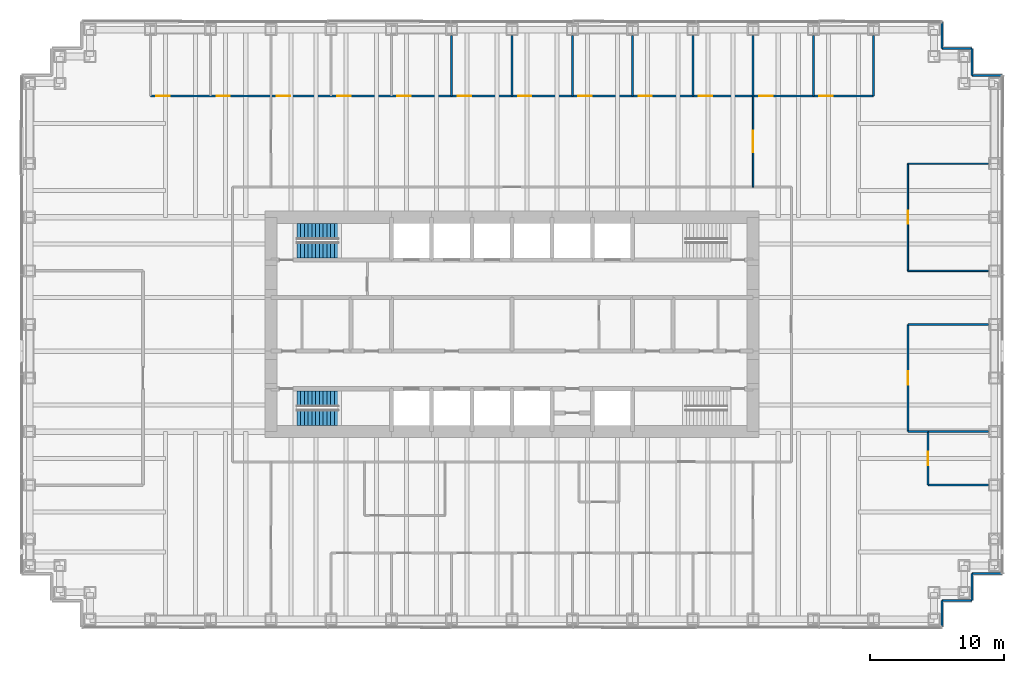
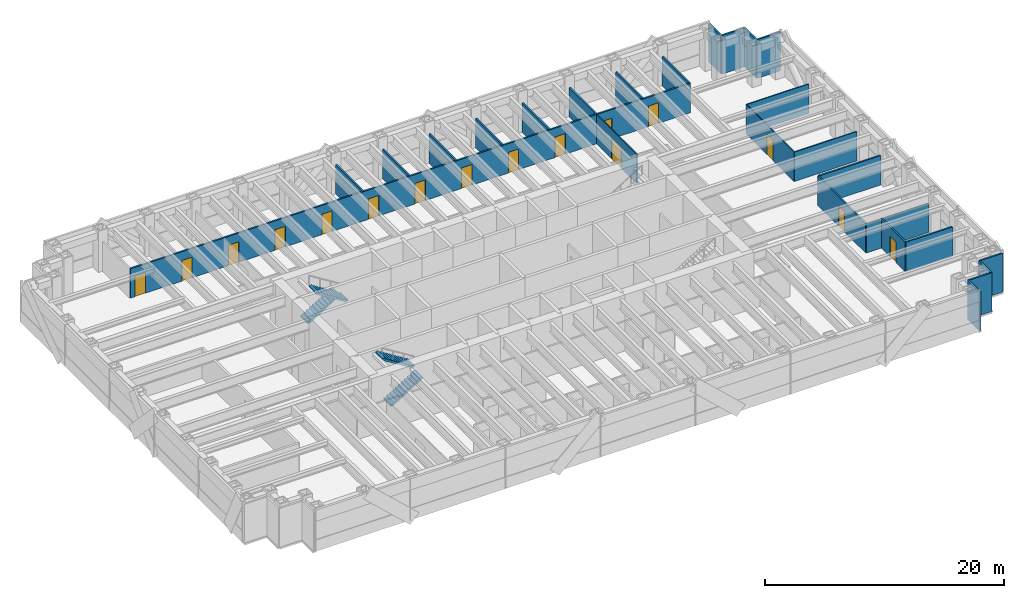
# One storey, part 14 of 16: 27 walls, 16 doors, 4 stair flights, 16 openings, 2 elements without a shape of their own.
"""IFC4 building model written with IfcOpenShell, lengths in metres."""

from ifc_helpers import new_model, si_unit, direction, frame, frame_2d, origin, place, context, subcontext, project, spatial, polyline, rectangle, outline, extrude, material, layer, layer_set, type_object, element, fill, aggregate, save


model = new_model("IFC4")

# Units and contexts
model_context = context("Model", 3, precision=1e-05, world=origin(), true_north=direction((0.0, 1.0)))
body_context = subcontext(model_context, "Body", "Model", "MODEL_VIEW")
ifc_project = project(units=[si_unit("LENGTHUNIT", "METRE"), si_unit("AREAUNIT", "SQUARE_METRE"), si_unit("VOLUMEUNIT", "CUBIC_METRE"), si_unit("PLANEANGLEUNIT", "RADIAN"), si_unit("MASSUNIT", "GRAM", prefix="KILO")], contexts=[model_context])

# Site, building, storey
site_placement = place(None, origin())
site = spatial("IfcSite", under=ifc_project, at=site_placement, CompositionType="ELEMENT")
building_placement = place(site_placement, origin())
building = spatial("IfcBuilding", under=site, at=building_placement, Name="Rheinbord Bourse Tower", CompositionType="ELEMENT")
storey_placement = place(building_placement, frame((0.0, 0.0, 176.10009765625)))
storey = spatial("IfcBuildingStorey", under=building, at=storey_placement, Name="L39", CompositionType="ELEMENT", Elevation=176.10009765625)

# Walls
ifc_material_1 = material(Name="Black metal rainscreen panel", Category="aluminium")
ifc_layer_1 = layer(ifc_material_1, 0.14990234375)
ifc_layer_set_1 = layer_set([ifc_layer_1], Name="CORNER PIER CLADDING 150")
wall_type_1 = type_object("IfcWallType", Name="CORNER PIER CLADDING 150", PredefinedType="ELEMENTEDWALL", material=ifc_layer_set_1)
wall_1_placement = place(storey_placement, frame((68.10009765625, 1.39990234375, 0.0), z_axis=(0.0, 0.0, 1.0), x_axis=(0.0, 1.0, 0.0)))
element("IfcWall", 1, at=wall_1_placement, inside=storey, type_object=wall_type_1, Name="Corner pier cladding L39 2", PredefinedType="ELEMENTEDWALL", context=body_context, shape_type="SweptSolid", body=[
    extrude(rectangle(XDim=2.0, YDim=0.14990234375, at=frame_2d((1.0, 0.0))), origin(), (0.0, 0.0, 1.0), 3.949951171875),
])
wall_2_placement = place(storey_placement, frame((68.10009765625, 3.39990234375, 0.0), z_axis=(0.0, 0.0, 1.0), x_axis=(1.0, 0.0, 0.0)))
element("IfcWall", 2, at=wall_2_placement, inside=storey, type_object=wall_type_1, Name="Corner pier cladding L39 3", PredefinedType="ELEMENTEDWALL", context=body_context, shape_type="SweptSolid", body=[
    extrude(rectangle(XDim=2.25, YDim=0.14990234375, at=frame_2d((1.125, 0.0))), origin(), (0.0, 0.0, 1.0), 3.949951171875),
])
wall_3_placement = place(storey_placement, frame((70.35009765625, 3.39990234375, 0.0), z_axis=(0.0, 0.0, 1.0), x_axis=(0.0, 1.0, 0.0)))
element("IfcWall", 3, at=wall_3_placement, inside=storey, type_object=wall_type_1, Name="Corner pier cladding L39 4", PredefinedType="ELEMENTEDWALL", context=body_context, shape_type="SweptSolid", body=[
    extrude(rectangle(XDim=2.0, YDim=0.14990234375, at=frame_2d((1.0, 0.0))), origin(), (0.0, 0.0, 1.0), 3.949951171875),
])
for number, where, z_axis, x_axis, name in (
    (4, (70.35009765625, 5.39990234375, 0.0), (0.0, 0.0, 1.0), (1.0, 0.0, 0.0), "Corner pier cladding L39 5"),
    (5, (72.60009765625, 42.60009765625, 0.0), (0.0, 0.0, 1.0), (-1.0, 0.0, 0.0), "Corner pier cladding L39 7"),
):
    element("IfcWall", number, at=place(storey_placement, frame(where, z_axis=z_axis, x_axis=x_axis)), inside=storey, type_object=wall_type_1, Name=name, PredefinedType="ELEMENTEDWALL", context=body_context, shape_type="SweptSolid", body=[
        extrude(rectangle(XDim=2.25, YDim=0.14990234375, at=frame_2d((1.125, 0.0))), origin(), (0.0, 0.0, 1.0), 3.949951171875),
    ])
wall_4_placement = place(storey_placement, frame((70.35009765625, 42.60009765625, 0.0), z_axis=(0.0, 0.0, 1.0), x_axis=(0.0, 1.0, 0.0)))
element("IfcWall", 6, at=wall_4_placement, inside=storey, type_object=wall_type_1, Name="Corner pier cladding L39 8", PredefinedType="ELEMENTEDWALL", context=body_context, shape_type="SweptSolid", body=[
    extrude(rectangle(XDim=2.0, YDim=0.14990234375, at=frame_2d((1.0, 0.0))), origin(), (0.0, 0.0, 1.0), 3.949951171875),
])
wall_5_placement = place(storey_placement, frame((70.35009765625, 44.60009765625, 0.0), z_axis=(0.0, 0.0, 1.0), x_axis=(-1.0, 0.0, 0.0)))
element("IfcWall", 7, at=wall_5_placement, inside=storey, type_object=wall_type_1, Name="Corner pier cladding L39 9", PredefinedType="ELEMENTEDWALL", context=body_context, shape_type="SweptSolid", body=[
    extrude(rectangle(XDim=2.25, YDim=0.14990234375, at=frame_2d((1.125, 0.0))), origin(), (0.0, 0.0, 1.0), 3.949951171875),
])
wall_6_placement = place(storey_placement, frame((68.10009765625, 44.60009765625, 0.0), z_axis=(0.0, 0.0, 1.0), x_axis=(0.0, 1.0, 0.0)))
element("IfcWall", 8, at=wall_6_placement, inside=storey, type_object=wall_type_1, Name="Corner pier cladding L39 10", PredefinedType="ELEMENTEDWALL", context=body_context, shape_type="SweptSolid", body=[
    extrude(rectangle(XDim=2.0, YDim=0.14990234375, at=frame_2d((1.0, 0.0))), origin(), (0.0, 0.0, 1.0), 3.949951171875),
])
ifc_material_2 = material(Name="Gypsum board fire partition", Category="gypsum board")
ifc_layer_2 = layer(ifc_material_2, 0.14990234375)
ifc_layer_set_2 = layer_set([ifc_layer_2], Name="FIRE PARTITION 150 EI60")
wall_type_2 = type_object("IfcWallType", Name="FIRE PARTITION 150 EI60", PredefinedType="PARTITIONING", material=ifc_layer_set_2)
wall_7_placement = place(storey_placement, frame((67.050048828125, 12.0, 0.0), z_axis=(0.0, 0.0, 1.0), x_axis=(1.0, 0.0, 0.0)))
element("IfcWall", 9, at=wall_7_placement, inside=storey, type_object=wall_type_2, Name="Partition L39-05", PredefinedType="PARTITIONING", context=body_context, shape_type="SweptSolid", body=[
    extrude(rectangle(XDim=4.5, YDim=0.14990234375, at=frame_2d((2.25, 0.0))), origin(), (0.0, 0.0, 1.0), 3.0),
])
wall_8_placement = place(storey_placement, frame((67.050048828125, 16.0, 0.0), z_axis=(0.0, 0.0, 1.0), x_axis=(1.0, 0.0, 0.0)))
element("IfcWall", 10, at=wall_8_placement, inside=storey, type_object=wall_type_2, Name="Partition L39-08", PredefinedType="PARTITIONING", context=body_context, shape_type="SweptSolid", body=[
    extrude(rectangle(XDim=4.5, YDim=0.14990234375, at=frame_2d((2.25, 0.0))), origin(), (0.0, 0.0, 1.0), 2.929931640625),
])

# Wall, opening, door
wall_9_placement = place(storey_placement, frame((67.050048828125, 12.0, 0.0), z_axis=(0.0, 0.0, 1.0), x_axis=(0.0, 1.0, 0.0)))
wall_9 = element("IfcWall", 11, at=wall_9_placement, inside=storey, type_object=wall_type_2, Name="Partition L39-49", PredefinedType="PARTITIONING", context=body_context, shape_type="SweptSolid", body=[
    extrude(rectangle(XDim=4.0, YDim=0.14990234375, at=frame_2d((2.0, 0.0))), origin(), (0.0, 0.0, 1.0), 3.0),
])
opening_1_placement = place(wall_9_placement, frame((1.5, 0.0, 0.0)))
opening_1 = element("IfcOpeningElement", 12, at=opening_1_placement, cuts=wall_9, Name="Opening 39D10", PredefinedType="OPENING", context=body_context, shape_type="SweptSolid", body=[
    extrude(rectangle(XDim=1.0, YDim=2.10009765625, at=frame_2d((0.5, 1.050048828125))), frame((0.0, 0.0849609375, 0.0), z_axis=(0.0, -1.0, 0.0), x_axis=(1.0, 0.0, 0.0)), (0.0, 0.0, 1.0), 0.169921875),
])
ifc_material_3 = material(Name="Timber fire door", Category="wood")
door_type_1 = type_object("IfcDoorType", Name="FIRE DOOR 1000 EI60", OperationType="SINGLE_SWING_LEFT", PredefinedType="DOOR", material=ifc_material_3)
door_1_placement = place(opening_1_placement, origin())
door_1 = element("IfcDoor", 13, at=door_1_placement, inside=storey, type_object=door_type_1, Name="File room door L39", OperationType="SINGLE_SWING_LEFT", OverallHeight=2.10009765625, OverallWidth=1.0, PredefinedType="DOOR", context=body_context, shape_type="SweptSolid", body=[
    extrude(rectangle(XDim=1.0, YDim=2.10009765625, at=frame_2d((0.5, 1.050048828125))), frame((0.0, 0.02490234375, 0.0), z_axis=(0.0, -1.0, 0.0), x_axis=(1.0, 0.0, 0.0)), (0.0, 0.0, 1.0), 0.050048828125),
])
fill(opening_1, door_1)

# Walls
ifc_material_4 = material(Name="Toughened laminated glass partition", Category="glass")
ifc_layer_3 = layer(ifc_material_4, 0.10009765625)
ifc_layer_set_3 = layer_set([ifc_layer_3], Name="GLAZED PARTITION 100")
wall_type_3 = type_object("IfcWallType", Name="GLAZED PARTITION 100", PredefinedType="PARTITIONING", material=ifc_layer_set_3)
for number, where, z_axis, x_axis, name in (
    (14, (65.550048828125, 28.0, 0.0), (0.0, 0.0, 1.0), (1.0, 0.0, 0.0), "Partition L39-11"),
    (15, (65.550048828125, 36.0, 0.0), (0.0, 0.0, 1.0), (1.0, 0.0, 0.0), "Partition L39-13"),
):
    element("IfcWall", number, at=place(storey_placement, frame(where, z_axis=z_axis, x_axis=x_axis)), inside=storey, type_object=wall_type_3, Name=name, PredefinedType="PARTITIONING", context=body_context, shape_type="SweptSolid", body=[
        extrude(rectangle(XDim=6.0, YDim=0.10009765625, at=frame_2d((3.0, 0.0))), origin(), (0.0, 0.0, 1.0), 3.0),
    ])

# Wall, opening, door
wall_10_placement = place(storey_placement, frame((54.0, 34.25, 0.0), z_axis=(0.0, 0.0, 1.0), x_axis=(0.0, 1.0, 0.0)))
wall_10 = element("IfcWall", 16, at=wall_10_placement, inside=storey, type_object=wall_type_3, Name="Partition L39-42", PredefinedType="PARTITIONING", context=body_context, shape_type="SweptSolid", body=[
    extrude(rectangle(XDim=6.800048828125, YDim=0.10009765625, at=frame_2d((3.39990234375, 0.0))), origin(), (0.0, 0.0, 1.0), 3.0),
])
opening_2_placement = place(wall_10_placement, frame((2.60009765625, 0.0, 0.0)))
opening_2 = element("IfcOpeningElement", 17, at=opening_2_placement, cuts=wall_10, Name="Opening 39D29", PredefinedType="OPENING", context=body_context, shape_type="SweptSolid", body=[
    extrude(rectangle(XDim=1.60009765625, YDim=2.10009765625, at=frame_2d((0.800048828125, 1.050048828125))), frame((0.0, 0.06005859375, 0.0), z_axis=(0.0, -1.0, 0.0), x_axis=(1.0, 0.0, 0.0)), (0.0, 0.0, 1.0), 0.1201171875),
])
ifc_material_5 = material(Name="Timber door", Category="wood")
door_type_2 = type_object("IfcDoorType", Name="DOUBLE ROOM DOOR 1600", OperationType="DOUBLE_DOOR_DOUBLE_SWING", PredefinedType="DOOR", material=ifc_material_5)
door_2_placement = place(opening_2_placement, origin())
door_2 = element("IfcDoor", 18, at=door_2_placement, inside=storey, type_object=door_type_2, Name="Open area door L39", OperationType="SINGLE_SWING_LEFT", OverallHeight=2.10009765625, OverallWidth=1.60009765625, PredefinedType="DOOR", context=body_context, shape_type="SweptSolid", body=[
    extrude(rectangle(XDim=1.60009765625, YDim=2.10009765625, at=frame_2d((0.800048828125, 1.050048828125))), frame((0.0, 0.02490234375, 0.0), z_axis=(0.0, -1.0, 0.0), x_axis=(1.0, 0.0, 0.0)), (0.0, 0.0, 1.0), 0.050048828125),
])
fill(opening_2, door_2)

wall_11_placement = place(storey_placement, frame((65.550048828125, 28.0, 0.0), z_axis=(0.0, 0.0, 1.0), x_axis=(0.0, 1.0, 0.0)))
wall_11 = element("IfcWall", 19, at=wall_11_placement, inside=storey, type_object=wall_type_3, Name="Partition L39-48", PredefinedType="PARTITIONING", context=body_context, shape_type="SweptSolid", body=[
    extrude(rectangle(XDim=8.0, YDim=0.10009765625, at=frame_2d((4.0, 0.0))), origin(), (0.0, 0.0, 1.0), 3.0),
])
opening_3_placement = place(wall_11_placement, frame((3.5, 0.0, 0.0)))
opening_3 = element("IfcOpeningElement", 20, at=opening_3_placement, cuts=wall_11, Name="Opening 39D13", PredefinedType="OPENING", context=body_context, shape_type="SweptSolid", body=[
    extrude(rectangle(XDim=1.0, YDim=2.10009765625, at=frame_2d((0.5, 1.050048828125))), frame((0.0, 0.06005859375, 0.0), z_axis=(0.0, -1.0, 0.0), x_axis=(1.0, 0.0, 0.0)), (0.0, 0.0, 1.0), 0.1201171875),
])
ifc_material_6 = material(Name="Timber door", Category="wood")
door_type_3 = type_object("IfcDoorType", Name="ROOM DOOR 1000", OperationType="SINGLE_SWING_LEFT", PredefinedType="DOOR", material=ifc_material_6)
door_3_placement = place(opening_3_placement, origin())
door_3 = element("IfcDoor", 21, at=door_3_placement, inside=storey, type_object=door_type_3, Name="Meeting room door L39", OperationType="SINGLE_SWING_LEFT", OverallHeight=2.10009765625, OverallWidth=1.0, PredefinedType="DOOR", context=body_context, shape_type="SweptSolid", body=[
    extrude(rectangle(XDim=1.0, YDim=2.10009765625, at=frame_2d((0.5, 1.050048828125))), frame((0.0, 0.02490234375, 0.0), z_axis=(0.0, -1.0, 0.0), x_axis=(1.0, 0.0, 0.0)), (0.0, 0.0, 1.0), 0.050048828125),
])
fill(opening_3, door_3)

# Walls
ifc_material_7 = material(Name="Gypsum board partition", Category="gypsum board")
ifc_layer_4 = layer(ifc_material_7, 0.14990234375)
ifc_layer_set_4 = layer_set([ifc_layer_4], Name="PARTITION 150")
wall_type_4 = type_object("IfcWallType", Name="PARTITION 150", PredefinedType="PARTITIONING", material=ifc_layer_set_4)
wall_12_placement = place(storey_placement, frame((65.550048828125, 16.0, 0.0), z_axis=(0.0, 0.0, 1.0), x_axis=(1.0, 0.0, 0.0)))
element("IfcWall", 22, at=wall_12_placement, inside=storey, type_object=wall_type_4, Name="Partition L39-07", PredefinedType="PARTITIONING", context=body_context, shape_type="SweptSolid", body=[
    extrude(rectangle(XDim=1.5, YDim=0.14990234375, at=frame_2d((0.75, 0.0))), origin(), (0.0, 0.0, 1.0), 2.929931640625),
])
wall_13_placement = place(storey_placement, frame((65.550048828125, 24.0, 0.0), z_axis=(0.0, 0.0, 1.0), x_axis=(1.0, 0.0, 0.0)))
element("IfcWall", 23, at=wall_13_placement, inside=storey, type_object=wall_type_4, Name="Partition L39-09", PredefinedType="PARTITIONING", context=body_context, shape_type="SweptSolid", body=[
    extrude(rectangle(XDim=6.0, YDim=0.14990234375, at=frame_2d((3.0, 0.0))), origin(), (0.0, 0.0, 1.0), 3.0),
])

# Wall, openings, doors
wall_14_placement = place(storey_placement, frame((9.0, 41.050048828125, 0.0), z_axis=(0.0, 0.0, 1.0), x_axis=(1.0, 0.0, 0.0)))
wall_14 = element("IfcWall", 24, at=wall_14_placement, inside=storey, type_object=wall_type_4, Name="Partition L39-14", PredefinedType="PARTITIONING", context=body_context, shape_type="SweptSolid", body=[
    extrude(rectangle(XDim=54.0, YDim=0.14990234375, at=frame_2d((27.0, 0.0))), origin(), (0.0, 0.0, 1.0), 3.0),
])
opening_4_placement = place(wall_14_placement, frame((0.449951171875, 0.0, 0.0)))
opening_4 = element("IfcOpeningElement", 25, at=opening_4_placement, cuts=wall_14, Name="Opening 39D14", PredefinedType="OPENING", context=body_context, shape_type="SweptSolid", body=[
    extrude(rectangle(XDim=1.0, YDim=2.10009765625, at=frame_2d((0.5, 1.050048828125))), frame((0.0, 0.0849609375, 0.0), z_axis=(0.0, -1.0, 0.0), x_axis=(1.0, 0.0, 0.0)), (0.0, 0.0, 1.0), 0.169921875),
])
opening_5_placement = place(wall_14_placement, frame((4.949951171875, 0.0, 0.0)))
opening_5 = element("IfcOpeningElement", 26, at=opening_5_placement, cuts=wall_14, Name="Opening 39D15", PredefinedType="OPENING", context=body_context, shape_type="SweptSolid", body=[
    extrude(rectangle(XDim=1.0, YDim=2.10009765625, at=frame_2d((0.5, 1.050048828125))), frame((0.0, 0.0849609375, 0.0), z_axis=(0.0, -1.0, 0.0), x_axis=(1.0, 0.0, 0.0)), (0.0, 0.0, 1.0), 0.169921875),
])
opening_6_placement = place(wall_14_placement, frame((9.449951171875, 0.0, 0.0)))
opening_6 = element("IfcOpeningElement", 27, at=opening_6_placement, cuts=wall_14, Name="Opening 39D16", PredefinedType="OPENING", context=body_context, shape_type="SweptSolid", body=[
    extrude(rectangle(XDim=1.0, YDim=2.10009765625, at=frame_2d((0.5, 1.050048828125))), frame((0.0, 0.0849609375, 0.0), z_axis=(0.0, -1.0, 0.0), x_axis=(1.0, 0.0, 0.0)), (0.0, 0.0, 1.0), 0.169921875),
])
opening_7_placement = place(wall_14_placement, frame((13.949951171875, 0.0, 0.0)))
opening_7 = element("IfcOpeningElement", 28, at=opening_7_placement, cuts=wall_14, Name="Opening 39D17", PredefinedType="OPENING", context=body_context, shape_type="SweptSolid", body=[
    extrude(rectangle(XDim=1.0, YDim=2.10009765625, at=frame_2d((0.5, 1.050048828125))), frame((0.0, 0.0849609375, 0.0), z_axis=(0.0, -1.0, 0.0), x_axis=(1.0, 0.0, 0.0)), (0.0, 0.0, 1.0), 0.169921875),
])
opening_8_placement = place(wall_14_placement, frame((18.449951171875, 0.0, 0.0)))
opening_8 = element("IfcOpeningElement", 29, at=opening_8_placement, cuts=wall_14, Name="Opening 39D18", PredefinedType="OPENING", context=body_context, shape_type="SweptSolid", body=[
    extrude(rectangle(XDim=1.0, YDim=2.10009765625, at=frame_2d((0.5, 1.050048828125))), frame((0.0, 0.0849609375, 0.0), z_axis=(0.0, -1.0, 0.0), x_axis=(1.0, 0.0, 0.0)), (0.0, 0.0, 1.0), 0.169921875),
])
opening_9_placement = place(wall_14_placement, frame((22.949951171875, 0.0, 0.0)))
opening_9 = element("IfcOpeningElement", 30, at=opening_9_placement, cuts=wall_14, Name="Opening 39D19", PredefinedType="OPENING", context=body_context, shape_type="SweptSolid", body=[
    extrude(rectangle(XDim=1.0, YDim=2.10009765625, at=frame_2d((0.5, 1.050048828125))), frame((0.0, 0.0849609375, 0.0), z_axis=(0.0, -1.0, 0.0), x_axis=(1.0, 0.0, 0.0)), (0.0, 0.0, 1.0), 0.169921875),
])
opening_10_placement = place(wall_14_placement, frame((27.449951171875, 0.0, 0.0)))
opening_10 = element("IfcOpeningElement", 31, at=opening_10_placement, cuts=wall_14, Name="Opening 39D20", PredefinedType="OPENING", context=body_context, shape_type="SweptSolid", body=[
    extrude(rectangle(XDim=1.0, YDim=2.10009765625, at=frame_2d((0.5, 1.050048828125))), frame((0.0, 0.0849609375, 0.0), z_axis=(0.0, -1.0, 0.0), x_axis=(1.0, 0.0, 0.0)), (0.0, 0.0, 1.0), 0.169921875),
])
opening_11_placement = place(wall_14_placement, frame((31.949951171875, 0.0, 0.0)))
opening_11 = element("IfcOpeningElement", 32, at=opening_11_placement, cuts=wall_14, Name="Opening 39D21", PredefinedType="OPENING", context=body_context, shape_type="SweptSolid", body=[
    extrude(rectangle(XDim=1.0, YDim=2.10009765625, at=frame_2d((0.5, 1.050048828125))), frame((0.0, 0.0849609375, 0.0), z_axis=(0.0, -1.0, 0.0), x_axis=(1.0, 0.0, 0.0)), (0.0, 0.0, 1.0), 0.169921875),
])
opening_12_placement = place(wall_14_placement, frame((36.449951171875, 0.0, 0.0)))
opening_12 = element("IfcOpeningElement", 33, at=opening_12_placement, cuts=wall_14, Name="Opening 39D22", PredefinedType="OPENING", context=body_context, shape_type="SweptSolid", body=[
    extrude(rectangle(XDim=1.0, YDim=2.10009765625, at=frame_2d((0.5, 1.050048828125))), frame((0.0, 0.0849609375, 0.0), z_axis=(0.0, -1.0, 0.0), x_axis=(1.0, 0.0, 0.0)), (0.0, 0.0, 1.0), 0.169921875),
])
opening_13_placement = place(wall_14_placement, frame((40.949951171875, 0.0, 0.0)))
opening_13 = element("IfcOpeningElement", 34, at=opening_13_placement, cuts=wall_14, Name="Opening 39D23", PredefinedType="OPENING", context=body_context, shape_type="SweptSolid", body=[
    extrude(rectangle(XDim=1.0, YDim=2.10009765625, at=frame_2d((0.5, 1.050048828125))), frame((0.0, 0.0849609375, 0.0), z_axis=(0.0, -1.0, 0.0), x_axis=(1.0, 0.0, 0.0)), (0.0, 0.0, 1.0), 0.169921875),
])
opening_14_placement = place(wall_14_placement, frame((45.449951171875, 0.0, 0.0)))
opening_14 = element("IfcOpeningElement", 35, at=opening_14_placement, cuts=wall_14, Name="Opening 39D24", PredefinedType="OPENING", context=body_context, shape_type="SweptSolid", body=[
    extrude(rectangle(XDim=1.0, YDim=2.10009765625, at=frame_2d((0.5, 1.050048828125))), frame((0.0, 0.0849609375, 0.0), z_axis=(0.0, -1.0, 0.0), x_axis=(1.0, 0.0, 0.0)), (0.0, 0.0, 1.0), 0.169921875),
])
opening_15_placement = place(wall_14_placement, frame((49.949951171875, 0.0, 0.0)))
opening_15 = element("IfcOpeningElement", 36, at=opening_15_placement, cuts=wall_14, Name="Opening 39D25", PredefinedType="OPENING", context=body_context, shape_type="SweptSolid", body=[
    extrude(rectangle(XDim=1.0, YDim=2.10009765625, at=frame_2d((0.5, 1.050048828125))), frame((0.0, 0.0849609375, 0.0), z_axis=(0.0, -1.0, 0.0), x_axis=(1.0, 0.0, 0.0)), (0.0, 0.0, 1.0), 0.169921875),
])
door_4_placement = place(opening_4_placement, origin())
door_4 = element("IfcDoor", 37, at=door_4_placement, inside=storey, type_object=door_type_3, Name="Office door L39", OperationType="SINGLE_SWING_LEFT", OverallHeight=2.10009765625, OverallWidth=1.0, PredefinedType="DOOR", context=body_context, shape_type="SweptSolid", body=[
    extrude(rectangle(XDim=1.0, YDim=2.10009765625, at=frame_2d((0.5, 1.050048828125))), frame((0.0, 0.02490234375, 0.0), z_axis=(0.0, -1.0, 0.0), x_axis=(1.0, 0.0, 0.0)), (0.0, 0.0, 1.0), 0.050048828125),
])
fill(opening_4, door_4)
door_5_placement = place(opening_5_placement, origin())
door_5 = element("IfcDoor", 38, at=door_5_placement, inside=storey, type_object=door_type_3, Name="Office door L39", OperationType="SINGLE_SWING_LEFT", OverallHeight=2.10009765625, OverallWidth=1.0, PredefinedType="DOOR", context=body_context, shape_type="SweptSolid", body=[
    extrude(rectangle(XDim=1.0, YDim=2.10009765625, at=frame_2d((0.5, 1.050048828125))), frame((0.0, 0.02490234375, 0.0), z_axis=(0.0, -1.0, 0.0), x_axis=(1.0, 0.0, 0.0)), (0.0, 0.0, 1.0), 0.050048828125),
])
fill(opening_5, door_5)
door_6_placement = place(opening_6_placement, origin())
door_6 = element("IfcDoor", 39, at=door_6_placement, inside=storey, type_object=door_type_3, Name="Office door L39", OperationType="SINGLE_SWING_LEFT", OverallHeight=2.10009765625, OverallWidth=1.0, PredefinedType="DOOR", context=body_context, shape_type="SweptSolid", body=[
    extrude(rectangle(XDim=1.0, YDim=2.10009765625, at=frame_2d((0.5, 1.050048828125))), frame((0.0, 0.02490234375, 0.0), z_axis=(0.0, -1.0, 0.0), x_axis=(1.0, 0.0, 0.0)), (0.0, 0.0, 1.0), 0.050048828125),
])
fill(opening_6, door_6)
door_7_placement = place(opening_7_placement, origin())
door_7 = element("IfcDoor", 40, at=door_7_placement, inside=storey, type_object=door_type_3, Name="Office door L39", OperationType="SINGLE_SWING_LEFT", OverallHeight=2.10009765625, OverallWidth=1.0, PredefinedType="DOOR", context=body_context, shape_type="SweptSolid", body=[
    extrude(rectangle(XDim=1.0, YDim=2.10009765625, at=frame_2d((0.5, 1.050048828125))), frame((0.0, 0.02490234375, 0.0), z_axis=(0.0, -1.0, 0.0), x_axis=(1.0, 0.0, 0.0)), (0.0, 0.0, 1.0), 0.050048828125),
])
fill(opening_7, door_7)
door_8_placement = place(opening_8_placement, origin())
door_8 = element("IfcDoor", 41, at=door_8_placement, inside=storey, type_object=door_type_3, Name="Office door L39", OperationType="SINGLE_SWING_LEFT", OverallHeight=2.10009765625, OverallWidth=1.0, PredefinedType="DOOR", context=body_context, shape_type="SweptSolid", body=[
    extrude(rectangle(XDim=1.0, YDim=2.10009765625, at=frame_2d((0.5, 1.050048828125))), frame((0.0, 0.02490234375, 0.0), z_axis=(0.0, -1.0, 0.0), x_axis=(1.0, 0.0, 0.0)), (0.0, 0.0, 1.0), 0.050048828125),
])
fill(opening_8, door_8)
door_9_placement = place(opening_9_placement, origin())
door_9 = element("IfcDoor", 42, at=door_9_placement, inside=storey, type_object=door_type_3, Name="Office door L39", OperationType="SINGLE_SWING_LEFT", OverallHeight=2.10009765625, OverallWidth=1.0, PredefinedType="DOOR", context=body_context, shape_type="SweptSolid", body=[
    extrude(rectangle(XDim=1.0, YDim=2.10009765625, at=frame_2d((0.5, 1.050048828125))), frame((0.0, 0.02490234375, 0.0), z_axis=(0.0, -1.0, 0.0), x_axis=(1.0, 0.0, 0.0)), (0.0, 0.0, 1.0), 0.050048828125),
])
fill(opening_9, door_9)
door_10_placement = place(opening_10_placement, origin())
door_10 = element("IfcDoor", 43, at=door_10_placement, inside=storey, type_object=door_type_3, Name="Office door L39", OperationType="SINGLE_SWING_RIGHT", OverallHeight=2.10009765625, OverallWidth=1.0, PredefinedType="DOOR", context=body_context, shape_type="SweptSolid", body=[
    extrude(rectangle(XDim=1.0, YDim=2.10009765625, at=frame_2d((0.5, 1.050048828125))), frame((0.0, 0.02490234375, 0.0), z_axis=(0.0, -1.0, 0.0), x_axis=(1.0, 0.0, 0.0)), (0.0, 0.0, 1.0), 0.050048828125),
])
fill(opening_10, door_10)
door_11_placement = place(opening_11_placement, origin())
door_11 = element("IfcDoor", 44, at=door_11_placement, inside=storey, type_object=door_type_3, Name="Office door L39", OperationType="SINGLE_SWING_RIGHT", OverallHeight=2.10009765625, OverallWidth=1.0, PredefinedType="DOOR", context=body_context, shape_type="SweptSolid", body=[
    extrude(rectangle(XDim=1.0, YDim=2.10009765625, at=frame_2d((0.5, 1.050048828125))), frame((0.0, 0.02490234375, 0.0), z_axis=(0.0, -1.0, 0.0), x_axis=(1.0, 0.0, 0.0)), (0.0, 0.0, 1.0), 0.050048828125),
])
fill(opening_11, door_11)
door_12_placement = place(opening_12_placement, origin())
door_12 = element("IfcDoor", 45, at=door_12_placement, inside=storey, type_object=door_type_3, Name="Office door L39", OperationType="SINGLE_SWING_RIGHT", OverallHeight=2.10009765625, OverallWidth=1.0, PredefinedType="DOOR", context=body_context, shape_type="SweptSolid", body=[
    extrude(rectangle(XDim=1.0, YDim=2.10009765625, at=frame_2d((0.5, 1.050048828125))), frame((0.0, 0.02490234375, 0.0), z_axis=(0.0, -1.0, 0.0), x_axis=(1.0, 0.0, 0.0)), (0.0, 0.0, 1.0), 0.050048828125),
])
fill(opening_12, door_12)
door_13_placement = place(opening_13_placement, origin())
door_13 = element("IfcDoor", 46, at=door_13_placement, inside=storey, type_object=door_type_3, Name="Office door L39", OperationType="SINGLE_SWING_RIGHT", OverallHeight=2.10009765625, OverallWidth=1.0, PredefinedType="DOOR", context=body_context, shape_type="SweptSolid", body=[
    extrude(rectangle(XDim=1.0, YDim=2.10009765625, at=frame_2d((0.5, 1.050048828125))), frame((0.0, 0.02490234375, 0.0), z_axis=(0.0, -1.0, 0.0), x_axis=(1.0, 0.0, 0.0)), (0.0, 0.0, 1.0), 0.050048828125),
])
fill(opening_13, door_13)
door_14_placement = place(opening_14_placement, origin())
door_14 = element("IfcDoor", 47, at=door_14_placement, inside=storey, type_object=door_type_3, Name="Office door L39", OperationType="SINGLE_SWING_RIGHT", OverallHeight=2.10009765625, OverallWidth=1.0, PredefinedType="DOOR", context=body_context, shape_type="SweptSolid", body=[
    extrude(rectangle(XDim=1.0, YDim=2.10009765625, at=frame_2d((0.5, 1.050048828125))), frame((0.0, 0.02490234375, 0.0), z_axis=(0.0, -1.0, 0.0), x_axis=(1.0, 0.0, 0.0)), (0.0, 0.0, 1.0), 0.050048828125),
])
fill(opening_14, door_14)
door_15_placement = place(opening_15_placement, origin())
door_15 = element("IfcDoor", 48, at=door_15_placement, inside=storey, type_object=door_type_3, Name="Office door L39", OperationType="SINGLE_SWING_RIGHT", OverallHeight=2.10009765625, OverallWidth=1.0, PredefinedType="DOOR", context=body_context, shape_type="SweptSolid", body=[
    extrude(rectangle(XDim=1.0, YDim=2.10009765625, at=frame_2d((0.5, 1.050048828125))), frame((0.0, 0.02490234375, 0.0), z_axis=(0.0, -1.0, 0.0), x_axis=(1.0, 0.0, 0.0)), (0.0, 0.0, 1.0), 0.050048828125),
])
fill(opening_15, door_15)

# Walls
for number, where, z_axis, x_axis, name in (
    (49, (31.5, 41.050048828125, 0.0), (0.0, 0.0, 1.0), (0.0, 1.0, 0.0), "Partition L39-29"),
    (50, (36.0, 41.050048828125, 0.0), (0.0, 0.0, 1.0), (0.0, 1.0, 0.0), "Partition L39-31"),
    (51, (40.5, 41.050048828125, 0.0), (0.0, 0.0, 1.0), (0.0, 1.0, 0.0), "Partition L39-33"),
    (52, (45.0, 41.050048828125, 0.0), (0.0, 0.0, 1.0), (0.0, 1.0, 0.0), "Partition L39-37"),
    (53, (49.5, 41.050048828125, 0.0), (0.0, 0.0, 1.0), (0.0, 1.0, 0.0), "Partition L39-39"),
    (54, (54.0, 41.050048828125, 0.0), (0.0, 0.0, 1.0), (0.0, 1.0, 0.0), "Partition L39-43"),
    (55, (58.5, 41.050048828125, 0.0), (0.0, 0.0, 1.0), (0.0, 1.0, 0.0), "Partition L39-45"),
    (56, (63.0, 41.050048828125, 0.0), (0.0, 0.0, 1.0), (0.0, 1.0, 0.0), "Partition L39-46"),
):
    element("IfcWall", number, at=place(storey_placement, frame(where, z_axis=z_axis, x_axis=x_axis)), inside=storey, type_object=wall_type_4, Name=name, PredefinedType="PARTITIONING", context=body_context, shape_type="SweptSolid", body=[
        extrude(rectangle(XDim=4.5, YDim=0.14990234375, at=frame_2d((2.25, 0.0))), origin(), (0.0, 0.0, 1.0), 3.0),
    ])

# Wall, opening, door
wall_15_placement = place(storey_placement, frame((65.550048828125, 16.0, 0.0), z_axis=(0.0, 0.0, 1.0), x_axis=(0.0, 1.0, 0.0)))
wall_15 = element("IfcWall", 57, at=wall_15_placement, inside=storey, type_object=wall_type_4, Name="Partition L39-47", PredefinedType="PARTITIONING", context=body_context, shape_type="SweptSolid", body=[
    extrude(rectangle(XDim=8.0, YDim=0.14990234375, at=frame_2d((4.0, 0.0))), origin(), (0.0, 0.0, 1.0), 3.0),
])
opening_16_placement = place(wall_15_placement, frame((3.5, 0.0, 0.0)))
opening_16 = element("IfcOpeningElement", 58, at=opening_16_placement, cuts=wall_15, Name="Opening 39D11", PredefinedType="OPENING", context=body_context, shape_type="SweptSolid", body=[
    extrude(rectangle(XDim=1.0, YDim=2.10009765625, at=frame_2d((0.5, 1.050048828125))), frame((0.0, 0.0849609375, 0.0), z_axis=(0.0, -1.0, 0.0), x_axis=(1.0, 0.0, 0.0)), (0.0, 0.0, 1.0), 0.169921875),
])
door_16_placement = place(opening_16_placement, origin())
door_16 = element("IfcDoor", 59, at=door_16_placement, inside=storey, type_object=door_type_3, Name="Library door L39", OperationType="SINGLE_SWING_LEFT", OverallHeight=2.10009765625, OverallWidth=1.0, PredefinedType="DOOR", context=body_context, shape_type="SweptSolid", body=[
    extrude(rectangle(XDim=1.0, YDim=2.10009765625, at=frame_2d((0.5, 1.050048828125))), frame((0.0, 0.02490234375, 0.0), z_axis=(0.0, -1.0, 0.0), x_axis=(1.0, 0.0, 0.0)), (0.0, 0.0, 1.0), 0.050048828125),
])
fill(opening_16, door_16)

# Stair, stair flights
ifc_material_8 = material(Name="Concrete C30/37", Category="concrete")
stair_type = type_object("IfcStairType", Name="CORE STAIR HALF TURN 4200", PredefinedType="HALF_TURN_STAIR", material=ifc_material_8)
stair_1_placement = place(storey_placement, origin())
stair_1 = element("IfcStair", 60, at=stair_1_placement, inside=storey, type_object=stair_type, Name="Stair ST1 L39, type CS6", PredefinedType="HALF_TURN_STAIR")
ifc_material_9 = material(Name="Concrete C30/37", Category="concrete")
stair_flight_type = type_object("IfcStairFlightType", Name="CORE STAIR FLIGHT 1200, 12 RISERS", PredefinedType="STRAIGHT", material=ifc_material_9)
stair_flight_1_placement = place(storey_placement, frame((19.949951171875, 17.050048828125, 0.0), z_axis=(0.0, 0.0, 1.0), x_axis=(1.0, 0.0, 0.0)))
stair_flight_1 = element("IfcStairFlight", 61, at=stair_flight_1_placement, type_object=stair_flight_type, Name="STAIR L39 ST1 F1", NumberOfRisers=12, NumberOfTreads=11, PredefinedType="STRAIGHT", RiserHeight=0.175, TreadLength=0.28, context=body_context, shape_type="SweptSolid", body=[
    extrude(outline(polyline([(0.0, 0.0), (0.0, 0.175048828125), (0.280029296875, 0.175048828125), (0.280029296875, 0.35009765625), (0.56005859375, 0.35009765625), (0.56005859375, 0.52490234375), (0.840087890625, 0.52490234375), (0.840087890625, 0.699951171875), (1.1201171875, 0.699951171875), (1.1201171875, 0.875), (1.39990234375, 0.875), (1.39990234375, 1.050048828125), (1.679931640625, 1.050048828125), (1.679931640625, 1.22509765625), (1.9599609375, 1.22509765625), (1.9599609375, 1.39990234375), (2.239990234375, 1.39990234375), (2.239990234375, 1.574951171875), (2.52001953125, 1.574951171875), (2.52001953125, 1.75), (2.800048828125, 1.75), (2.800048828125, 1.925048828125), (3.080078125, 1.925048828125), (3.080078125, 2.10009765625), (3.080078125, 1.748291015625), (0.28271484375, 0.0), (0.0, 0.0)])), frame((0.0, 0.60009765625, 0.0), z_axis=(0.0, -1.0, 0.0), x_axis=(1.0, 0.0, 0.0)), (0.0, 0.0, 1.0), 1.199951171875),
])
stair_flight_2_placement = place(storey_placement, frame((23.030029296875, 18.449951171875, 2.099853515625), z_axis=(0.0, 0.0, 1.0), x_axis=(-1.0, 0.0, 0.0)))
stair_flight_2 = element("IfcStairFlight", 62, at=stair_flight_2_placement, type_object=stair_flight_type, Name="STAIR L39 ST1 F2", NumberOfRisers=12, NumberOfTreads=11, PredefinedType="STRAIGHT", RiserHeight=0.175, TreadLength=0.28, context=body_context, shape_type="SweptSolid", body=[
    extrude(outline(polyline([(0.0, 0.0), (0.0, 0.175048828125), (0.280029296875, 0.175048828125), (0.280029296875, 0.35009765625), (0.56005859375, 0.35009765625), (0.56005859375, 0.52490234375), (0.840087890625, 0.52490234375), (0.840087890625, 0.699951171875), (1.1201171875, 0.699951171875), (1.1201171875, 0.875), (1.39990234375, 0.875), (1.39990234375, 1.050048828125), (1.679931640625, 1.050048828125), (1.679931640625, 1.22509765625), (1.9599609375, 1.22509765625), (1.9599609375, 1.39990234375), (2.239990234375, 1.39990234375), (2.239990234375, 1.574951171875), (2.52001953125, 1.574951171875), (2.52001953125, 1.75), (2.800048828125, 1.75), (2.800048828125, 1.925048828125), (3.080078125, 1.925048828125), (3.080078125, 2.10009765625), (3.080078125, 1.748291015625), (0.28271484375, 0.0), (0.0, 0.0)])), frame((0.0, 0.60009765625, 0.0), z_axis=(0.0, -1.0, 0.0), x_axis=(1.0, 0.0, 0.0)), (0.0, 0.0, 1.0), 1.199951171875),
])
aggregate(stair_1, [stair_flight_1, stair_flight_2])

stair_2_placement = place(storey_placement, origin())
stair_2 = element("IfcStair", 63, at=stair_2_placement, inside=storey, type_object=stair_type, Name="Stair ST2 L39, type CS6", PredefinedType="HALF_TURN_STAIR")
stair_flight_3_placement = place(storey_placement, frame((19.949951171875, 30.949951171875, 0.0), z_axis=(0.0, 0.0, 1.0), x_axis=(1.0, 0.0, 0.0)))
stair_flight_3 = element("IfcStairFlight", 64, at=stair_flight_3_placement, type_object=stair_flight_type, Name="STAIR L39 ST2 F1", NumberOfRisers=12, NumberOfTreads=11, PredefinedType="STRAIGHT", RiserHeight=0.175, TreadLength=0.28, context=body_context, shape_type="SweptSolid", body=[
    extrude(outline(polyline([(0.0, 0.0), (0.0, 0.175048828125), (0.280029296875, 0.175048828125), (0.280029296875, 0.35009765625), (0.56005859375, 0.35009765625), (0.56005859375, 0.52490234375), (0.840087890625, 0.52490234375), (0.840087890625, 0.699951171875), (1.1201171875, 0.699951171875), (1.1201171875, 0.875), (1.39990234375, 0.875), (1.39990234375, 1.050048828125), (1.679931640625, 1.050048828125), (1.679931640625, 1.22509765625), (1.9599609375, 1.22509765625), (1.9599609375, 1.39990234375), (2.239990234375, 1.39990234375), (2.239990234375, 1.574951171875), (2.52001953125, 1.574951171875), (2.52001953125, 1.75), (2.800048828125, 1.75), (2.800048828125, 1.925048828125), (3.080078125, 1.925048828125), (3.080078125, 2.10009765625), (3.080078125, 1.748291015625), (0.28271484375, 0.0), (0.0, 0.0)])), frame((0.0, 0.60009765625, 0.0), z_axis=(0.0, -1.0, 0.0), x_axis=(1.0, 0.0, 0.0)), (0.0, 0.0, 1.0), 1.199951171875),
])
stair_flight_4_placement = place(storey_placement, frame((23.030029296875, 29.550048828125, 2.099853515625), z_axis=(0.0, 0.0, 1.0), x_axis=(-1.0, 0.0, 0.0)))
stair_flight_4 = element("IfcStairFlight", 65, at=stair_flight_4_placement, type_object=stair_flight_type, Name="STAIR L39 ST2 F2", NumberOfRisers=12, NumberOfTreads=11, PredefinedType="STRAIGHT", RiserHeight=0.175, TreadLength=0.28, context=body_context, shape_type="SweptSolid", body=[
    extrude(outline(polyline([(0.0, 0.0), (0.0, 0.175048828125), (0.280029296875, 0.175048828125), (0.280029296875, 0.35009765625), (0.56005859375, 0.35009765625), (0.56005859375, 0.52490234375), (0.840087890625, 0.52490234375), (0.840087890625, 0.699951171875), (1.1201171875, 0.699951171875), (1.1201171875, 0.875), (1.39990234375, 0.875), (1.39990234375, 1.050048828125), (1.679931640625, 1.050048828125), (1.679931640625, 1.22509765625), (1.9599609375, 1.22509765625), (1.9599609375, 1.39990234375), (2.239990234375, 1.39990234375), (2.239990234375, 1.574951171875), (2.52001953125, 1.574951171875), (2.52001953125, 1.75), (2.800048828125, 1.75), (2.800048828125, 1.925048828125), (3.080078125, 1.925048828125), (3.080078125, 2.10009765625), (3.080078125, 1.748291015625), (0.28271484375, 0.0), (0.0, 0.0)])), frame((0.0, 0.60009765625, 0.0), z_axis=(0.0, -1.0, 0.0), x_axis=(1.0, 0.0, 0.0)), (0.0, 0.0, 1.0), 1.199951171875),
])
aggregate(stair_2, [stair_flight_3, stair_flight_4])

save(model, "model.ifc")
